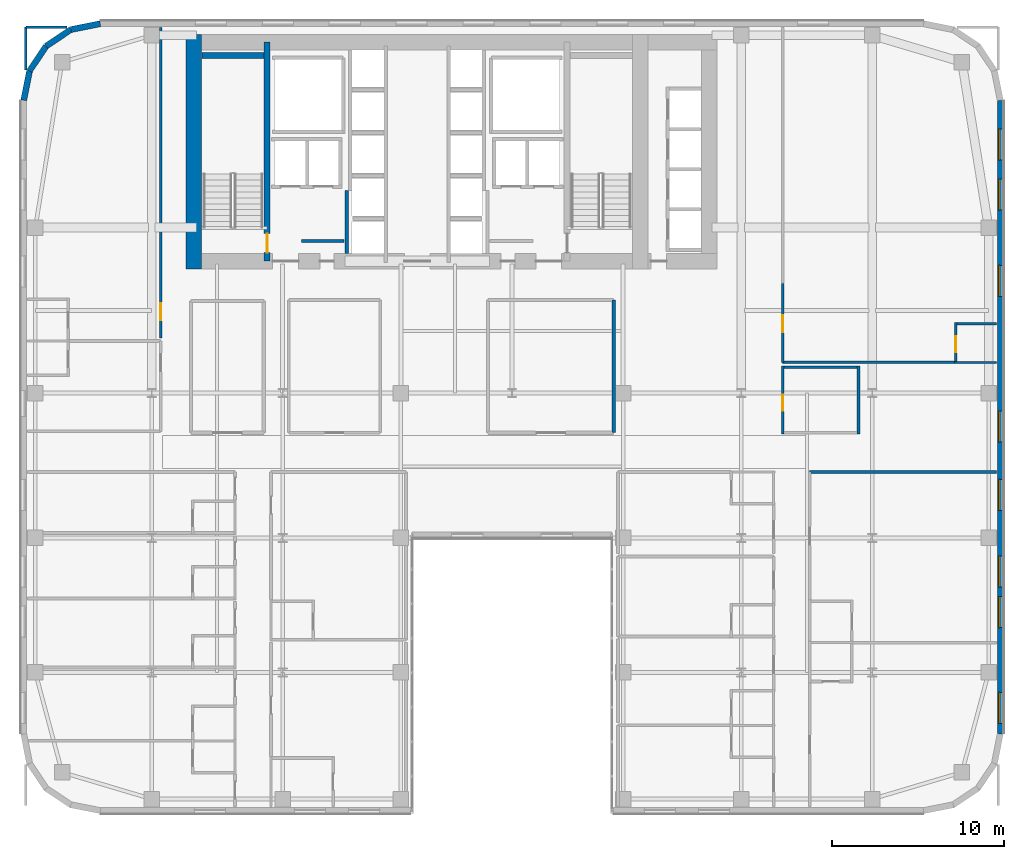
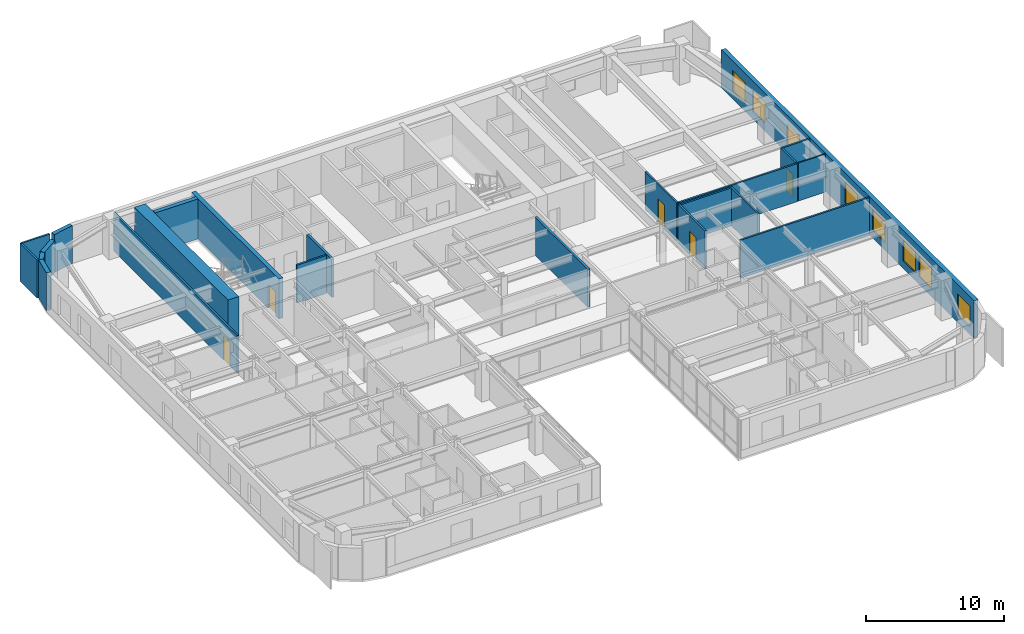
# One storey, part 17 of 24: 23 walls, 8 windows, 5 doors, 13 openings.
"""IFC4 building model written with IfcOpenShell, lengths in metres."""

from ifc_helpers import new_model, si_unit, direction, frame, frame_2d, origin, place, context, subcontext, project, spatial, rectangle, extrude, source, transform, mapped, material, layer, layer_set, type_object, type_shapes, element, fill, save


model = new_model("IFC4")

# Units and contexts
model_context = context("Model", 3, precision=1e-05, world=origin(), true_north=direction((0.0, 1.0)))
body_context = subcontext(model_context, "Body", "Model", "MODEL_VIEW")
ifc_project = project(units=[si_unit("LENGTHUNIT", "METRE"), si_unit("AREAUNIT", "SQUARE_METRE"), si_unit("VOLUMEUNIT", "CUBIC_METRE"), si_unit("PLANEANGLEUNIT", "RADIAN"), si_unit("MASSUNIT", "GRAM", prefix="KILO")], contexts=[model_context])

# Site, building, storey
site_placement = place(None, origin())
site = spatial("IfcSite", under=ifc_project, at=site_placement, CompositionType="ELEMENT")
building_placement = place(site_placement, origin())
building = spatial("IfcBuilding", under=site, at=building_placement, Name="Tolvann Quenvar Hotel", CompositionType="ELEMENT")
storey_placement = place(building_placement, frame((0.0, 0.0, 81.699951171875)))
storey = spatial("IfcBuildingStorey", under=building, at=storey_placement, Name="L20", CompositionType="ELEMENT", Elevation=81.699951171875)

# Wall
ifc_material_1 = material(Name="Concrete S80 (80 MPa)", Category="concrete")
ifc_layer_1 = layer(ifc_material_1, 0.89990234375)
ifc_layer_set_1 = layer_set([ifc_layer_1], Name="Concrete S80 (80 MPa)")
wall_type_1 = type_object("IfcWallType", Name="WALL_CORE_900", PredefinedType="SHEAR", material=ifc_layer_set_1)
wall_1_placement = place(storey_placement, frame((10.050048828125, 31.60009765625, 0.0), z_axis=(0.0, 0.0, 1.0), x_axis=(0.0, 1.0, 0.0)))
element("IfcWall", 1, at=wall_1_placement, inside=storey, type_object=wall_type_1, Name="Rear Core W Shear Wall (L20)", PredefinedType="SHEAR", context=body_context, shape_type="SweptSolid", body=[
    extrude(rectangle(XDim=13.599853515625, YDim=0.89990234375, at=frame_2d((6.7998046875, 0.0))), origin(), (0.0, 0.0, 1.0), 3.550048828125),
])

# Wall, opening, door
ifc_material_2 = material(Name="Concrete S65 (65 MPa)", Category="concrete")
ifc_layer_2 = layer(ifc_material_2, 0.35009765625)
ifc_layer_set_2 = layer_set([ifc_layer_2], Name="Concrete S65 (65 MPa)")
wall_type_2 = type_object("IfcWallType", Name="WALL_CORE_INT_350", PredefinedType="SHEAR", material=ifc_layer_set_2)
wall_2_placement = place(storey_placement, frame((14.300048828125, 32.050048828125, 0.0), z_axis=(0.0, 0.0, 1.0), x_axis=(0.0, 1.0, 0.0)))
wall_2 = element("IfcWall", 2, at=wall_2_placement, inside=storey, type_object=wall_type_2, Name="Core Internal Web Shear Wall WEB-W (L20)", PredefinedType="SHEAR", context=body_context, shape_type="SweptSolid", body=[
    extrude(rectangle(XDim=12.699951171875, YDim=0.35009765625, at=frame_2d((6.35009765625, 0.0))), origin(), (0.0, 0.0, 1.0), 3.550048828125),
])
opening_1_placement = place(wall_2_placement, frame((0.5, 0.0, 0.0)))
opening_1 = element("IfcOpeningElement", 3, at=opening_1_placement, cuts=wall_2, Name="Opening FD-120", PredefinedType="OPENING", context=body_context, shape_type="SweptSolid", body=[
    extrude(rectangle(XDim=1.10009765625, YDim=2.1201171875, at=frame_2d((0.550048828125, 1.06005859375))), frame((0.0, 0.18505859375, 0.0), z_axis=(0.0, -1.0, 0.0), x_axis=(1.0, 0.0, 0.0)), (0.0, 0.0, 1.0), 0.3701171875),
])
ifc_material_3 = material(Name="Pressed galvanised steel fire-rated door set", Category="steel")
door_type_1 = type_object("IfcDoorType", Name="DOOR_FIRE_STAIR_1100", OperationType="NOTDEFINED", PredefinedType="DOOR", material=ifc_material_3)
shared_shape_1 = source(origin(), body_context, "Body", "SweptSolid", [
    extrude(rectangle(XDim=1.10009765625, YDim=2.1201171875, at=frame_2d((0.550048828125, 1.06005859375))), frame((0.0, 0.02490234375, 0.0), z_axis=(0.0, -1.0, 0.0), x_axis=(1.0, 0.0, 0.0)), (0.0, 0.0, 1.0), 0.050048828125),
])
type_shapes(door_type_1, [shared_shape_1])
door_1_placement = place(opening_1_placement, origin())
door_1 = element("IfcDoor", 4, at=door_1_placement, inside=storey, type_object=door_type_1, Name="Exit Stair ST-C1 Fire Door (L20)", OperationType="SINGLE_SWING_RIGHT", OverallHeight=2.1201171875, OverallWidth=1.10009765625, PredefinedType="DOOR", context=body_context, shape_type="MappedRepresentation", body=[
    mapped(shared_shape_1, transform((0.0, 0.0, 0.0), x_axis=(1.0, 0.0, 0.0), y_axis=(0.0, 1.0, 0.0), z_axis=(0.0, 0.0, 1.0), scale=1.0)),
])
fill(opening_1, door_1)

# Wall
wall_3_placement = place(storey_placement, frame((10.52001953125, 43.97509765625, 0.0), z_axis=(0.0, 0.0, 1.0), x_axis=(1.0, 0.0, 0.0)))
element("IfcWall", 5, at=wall_3_placement, inside=storey, type_object=wall_type_2, Name="Core Stair North Closing Shear Wall STC1-N (L20)", PredefinedType="SHEAR", context=body_context, shape_type="SweptSolid", body=[
    extrude(rectangle(XDim=3.60009765625, YDim=0.35009765625, at=frame_2d((1.800048828125, 0.0))), origin(), (0.0, 0.0, 1.0), 3.550048828125),
])

# Wall, openings, windows
ifc_material_4 = material(Name="Kiln-fired red and buff architectural clay brickwork and terracotta masonry", Category="masonry")
ifc_layer_3 = layer(ifc_material_4, 0.35009765625)
ifc_layer_set_3 = layer_set([ifc_layer_3], Name="Kiln-fired red and buff architectural clay brickwork and terracotta masonry")
wall_type_3 = type_object("IfcWallType", Name="WALL_EXT_BRICK_350", PredefinedType="SOLIDWALL", material=ifc_layer_set_3)
wall_4_placement = place(storey_placement, frame((56.824951171875, 4.6171875, 0.0), z_axis=(0.0, 0.0, 1.0), x_axis=(0.0, 1.0, 0.0)))
wall_4 = element("IfcWall", 6, at=wall_4_placement, inside=storey, type_object=wall_type_3, Name="Exterior Chicago Brick Wall L20-E13", PredefinedType="SOLIDWALL", context=body_context, shape_type="SweptSolid", body=[
    extrude(rectangle(XDim=36.765625, YDim=0.35009765625, at=frame_2d((18.3828125, 0.0))), origin(), (0.0, 0.0, 1.0), 3.3701171875),
])
opening_2_placement = place(wall_4_placement, frame((0.6259765625, 0.0, 0.679931640625)))
opening_2 = element("IfcOpeningElement", 7, at=opening_2_placement, cuts=wall_4, Name="Opening W-03", PredefinedType="OPENING", context=body_context, shape_type="SweptSolid", body=[
    extrude(rectangle(XDim=1.800048828125, YDim=1.85009765625, at=frame_2d((0.89990234375, 0.925048828125))), frame((0.0, 0.18505859375, 0.0), z_axis=(0.0, -1.0, 0.0), x_axis=(1.0, 0.0, 0.0)), (0.0, 0.0, 1.0), 0.3701171875),
])
opening_3_placement = place(wall_4_placement, frame((6.177978515625, 0.0, 0.679931640625)))
opening_3 = element("IfcOpeningElement", 8, at=opening_3_placement, cuts=wall_4, Name="Opening W-03", PredefinedType="OPENING", context=body_context, shape_type="SweptSolid", body=[
    extrude(rectangle(XDim=1.800048828125, YDim=1.85009765625, at=frame_2d((0.89990234375, 0.925048828125))), frame((0.0, 0.18505859375, 0.0), z_axis=(0.0, -1.0, 0.0), x_axis=(1.0, 0.0, 0.0)), (0.0, 0.0, 1.0), 0.3701171875),
])
opening_4_placement = place(wall_4_placement, frame((8.529052734375, 0.0, 0.679931640625)))
opening_4 = element("IfcOpeningElement", 9, at=opening_4_placement, cuts=wall_4, Name="Opening W-03", PredefinedType="OPENING", context=body_context, shape_type="SweptSolid", body=[
    extrude(rectangle(XDim=1.800048828125, YDim=1.85009765625, at=frame_2d((0.89990234375, 0.925048828125))), frame((0.0, 0.18505859375, 0.0), z_axis=(0.0, -1.0, 0.0), x_axis=(1.0, 0.0, 0.0)), (0.0, 0.0, 1.0), 0.3701171875),
])
opening_5_placement = place(wall_4_placement, frame((12.98095703125, 0.0, 0.679931640625)))
opening_5 = element("IfcOpeningElement", 10, at=opening_5_placement, cuts=wall_4, Name="Opening W-03", PredefinedType="OPENING", context=body_context, shape_type="SweptSolid", body=[
    extrude(rectangle(XDim=1.800048828125, YDim=1.85009765625, at=frame_2d((0.89990234375, 0.925048828125))), frame((0.0, 0.18505859375, 0.0), z_axis=(0.0, -1.0, 0.0), x_axis=(1.0, 0.0, 0.0)), (0.0, 0.0, 1.0), 0.3701171875),
])
opening_6_placement = place(wall_4_placement, frame((16.93310546875, 0.0, 0.679931640625)))
opening_6 = element("IfcOpeningElement", 11, at=opening_6_placement, cuts=wall_4, Name="Opening W-03", PredefinedType="OPENING", context=body_context, shape_type="SweptSolid", body=[
    extrude(rectangle(XDim=1.800048828125, YDim=1.85009765625, at=frame_2d((0.89990234375, 0.925048828125))), frame((0.0, 0.18505859375, 0.0), z_axis=(0.0, -1.0, 0.0), x_axis=(1.0, 0.0, 0.0)), (0.0, 0.0, 1.0), 0.3701171875),
])
opening_7_placement = place(wall_4_placement, frame((25.385986328125, 0.0, 0.679931640625)))
opening_7 = element("IfcOpeningElement", 12, at=opening_7_placement, cuts=wall_4, Name="Opening W-03", PredefinedType="OPENING", context=body_context, shape_type="SweptSolid", body=[
    extrude(rectangle(XDim=1.800048828125, YDim=1.85009765625, at=frame_2d((0.89990234375, 0.925048828125))), frame((0.0, 0.18505859375, 0.0), z_axis=(0.0, -1.0, 0.0), x_axis=(1.0, 0.0, 0.0)), (0.0, 0.0, 1.0), 0.3701171875),
])
opening_8_placement = place(wall_4_placement, frame((30.387939453125, 0.0, 0.679931640625)))
opening_8 = element("IfcOpeningElement", 13, at=opening_8_placement, cuts=wall_4, Name="Opening W-03", PredefinedType="OPENING", context=body_context, shape_type="SweptSolid", body=[
    extrude(rectangle(XDim=1.800048828125, YDim=1.85009765625, at=frame_2d((0.89990234375, 0.925048828125))), frame((0.0, 0.18505859375, 0.0), z_axis=(0.0, -1.0, 0.0), x_axis=(1.0, 0.0, 0.0)), (0.0, 0.0, 1.0), 0.3701171875),
])
opening_9_placement = place(wall_4_placement, frame((33.2900390625, 0.0, 0.679931640625)))
opening_9 = element("IfcOpeningElement", 14, at=opening_9_placement, cuts=wall_4, Name="Opening W-03", PredefinedType="OPENING", context=body_context, shape_type="SweptSolid", body=[
    extrude(rectangle(XDim=1.800048828125, YDim=1.85009765625, at=frame_2d((0.89990234375, 0.925048828125))), frame((0.0, 0.18505859375, 0.0), z_axis=(0.0, -1.0, 0.0), x_axis=(1.0, 0.0, 0.0)), (0.0, 0.0, 1.0), 0.3701171875),
])
ifc_material_5 = material(Name="Thermally broken bronze-anodised aluminium frame with double low-E glazing", Category="aluminium")
window_type = type_object("IfcWindowType", Name="WIN_CHI_1800x2050", PartitioningType="TRIPLE_PANEL_HORIZONTAL", PredefinedType="WINDOW", material=ifc_material_5)
shared_shape_2 = source(origin(), body_context, "Body", "SweptSolid", [
    extrude(rectangle(XDim=1.800048828125, YDim=1.85009765625, at=frame_2d((0.89990234375, 0.925048828125))), frame((0.0, 0.090087890625, 0.0), z_axis=(0.0, -1.0, 0.0), x_axis=(1.0, 0.0, 0.0)), (0.0, 0.0, 1.0), 0.06005859375),
])
type_shapes(window_type, [shared_shape_2])
window_1_placement = place(opening_2_placement, origin())
window_1 = element("IfcWindow", 15, at=window_1_placement, inside=storey, type_object=window_type, Name="Chicago Window W-03 (EW-L20-E13-W01)", OverallHeight=1.85009765625, OverallWidth=1.800048828125, PartitioningType="TRIPLE_PANEL_HORIZONTAL", PredefinedType="WINDOW", context=body_context, shape_type="MappedRepresentation", body=[
    mapped(shared_shape_2, transform((0.0, 0.0, 0.0), x_axis=(1.0, 0.0, 0.0), y_axis=(0.0, 1.0, 0.0), z_axis=(0.0, 0.0, 1.0), scale=1.0)),
])
fill(opening_2, window_1)
window_2_placement = place(opening_3_placement, origin())
window_2 = element("IfcWindow", 16, at=window_2_placement, inside=storey, type_object=window_type, Name="Chicago Window W-03 (EW-L20-E13-W02)", OverallHeight=1.85009765625, OverallWidth=1.800048828125, PartitioningType="TRIPLE_PANEL_HORIZONTAL", PredefinedType="WINDOW", context=body_context, shape_type="MappedRepresentation", body=[
    mapped(shared_shape_2, transform((0.0, 0.0, 0.0), x_axis=(1.0, 0.0, 0.0), y_axis=(0.0, 1.0, 0.0), z_axis=(0.0, 0.0, 1.0), scale=1.0)),
])
fill(opening_3, window_2)
window_3_placement = place(opening_4_placement, origin())
window_3 = element("IfcWindow", 17, at=window_3_placement, inside=storey, type_object=window_type, Name="Chicago Window W-03 (EW-L20-E13-W03)", OverallHeight=1.85009765625, OverallWidth=1.800048828125, PartitioningType="TRIPLE_PANEL_HORIZONTAL", PredefinedType="WINDOW", context=body_context, shape_type="MappedRepresentation", body=[
    mapped(shared_shape_2, transform((0.0, 0.0, 0.0), x_axis=(1.0, 0.0, 0.0), y_axis=(0.0, 1.0, 0.0), z_axis=(0.0, 0.0, 1.0), scale=1.0)),
])
fill(opening_4, window_3)
window_4_placement = place(opening_5_placement, origin())
window_4 = element("IfcWindow", 18, at=window_4_placement, inside=storey, type_object=window_type, Name="Chicago Window W-03 (EW-L20-E13-W04)", OverallHeight=1.85009765625, OverallWidth=1.800048828125, PartitioningType="TRIPLE_PANEL_HORIZONTAL", PredefinedType="WINDOW", context=body_context, shape_type="MappedRepresentation", body=[
    mapped(shared_shape_2, transform((0.0, 0.0, 0.0), x_axis=(1.0, 0.0, 0.0), y_axis=(0.0, 1.0, 0.0), z_axis=(0.0, 0.0, 1.0), scale=1.0)),
])
fill(opening_5, window_4)
window_5_placement = place(opening_6_placement, origin())
window_5 = element("IfcWindow", 19, at=window_5_placement, inside=storey, type_object=window_type, Name="Chicago Window W-03 (EW-L20-E13-W05)", OverallHeight=1.85009765625, OverallWidth=1.800048828125, PartitioningType="TRIPLE_PANEL_HORIZONTAL", PredefinedType="WINDOW", context=body_context, shape_type="MappedRepresentation", body=[
    mapped(shared_shape_2, transform((0.0, 0.0, 0.0), x_axis=(1.0, 0.0, 0.0), y_axis=(0.0, 1.0, 0.0), z_axis=(0.0, 0.0, 1.0), scale=1.0)),
])
fill(opening_6, window_5)
window_6_placement = place(opening_7_placement, origin())
window_6 = element("IfcWindow", 20, at=window_6_placement, inside=storey, type_object=window_type, Name="Chicago Window W-03 (EW-L20-E13-W06)", OverallHeight=1.85009765625, OverallWidth=1.800048828125, PartitioningType="TRIPLE_PANEL_HORIZONTAL", PredefinedType="WINDOW", context=body_context, shape_type="MappedRepresentation", body=[
    mapped(shared_shape_2, transform((0.0, 0.0, 0.0), x_axis=(1.0, 0.0, 0.0), y_axis=(0.0, 1.0, 0.0), z_axis=(0.0, 0.0, 1.0), scale=1.0)),
])
fill(opening_7, window_6)
window_7_placement = place(opening_8_placement, origin())
window_7 = element("IfcWindow", 21, at=window_7_placement, inside=storey, type_object=window_type, Name="Chicago Window W-03 (EW-L20-E13-W07)", OverallHeight=1.85009765625, OverallWidth=1.800048828125, PartitioningType="TRIPLE_PANEL_HORIZONTAL", PredefinedType="WINDOW", context=body_context, shape_type="MappedRepresentation", body=[
    mapped(shared_shape_2, transform((0.0, 0.0, 0.0), x_axis=(1.0, 0.0, 0.0), y_axis=(0.0, 1.0, 0.0), z_axis=(0.0, 0.0, 1.0), scale=1.0)),
])
fill(opening_8, window_7)
window_8_placement = place(opening_9_placement, origin())
window_8 = element("IfcWindow", 22, at=window_8_placement, inside=storey, type_object=window_type, Name="Chicago Window W-03 (EW-L20-E13-W08)", OverallHeight=1.85009765625, OverallWidth=1.800048828125, PartitioningType="TRIPLE_PANEL_HORIZONTAL", PredefinedType="WINDOW", context=body_context, shape_type="MappedRepresentation", body=[
    mapped(shared_shape_2, transform((0.0, 0.0, 0.0), x_axis=(1.0, 0.0, 0.0), y_axis=(0.0, 1.0, 0.0), z_axis=(0.0, 0.0, 1.0), scale=1.0)),
])
fill(opening_9, window_8)

# Walls
wall_5_placement = place(storey_placement, frame((4.6171875, 45.824951171875, 0.0), z_axis=(0.0, 0.0, 1.0), x_axis=(-0.980800971659, -0.195011420161, 0.0)))
element("IfcWall", 23, at=wall_5_placement, inside=storey, type_object=wall_type_3, Name="Exterior Chicago Brick Wall L20-E19", PredefinedType="SOLIDWALL", context=body_context, shape_type="SweptSolid", body=[
    extrude(rectangle(XDim=1.74267578125, YDim=0.35009765625, at=frame_2d((0.871337890625, 0.0))), origin(), (0.0, 0.0, 1.0), 3.3701171875),
])
for number, where, z_axis, x_axis, name in (
    (24, (2.907958984375, 45.485107421875, 0.0), (0.0, 0.0, 1.0), (-0.831483840845, -0.55554893791, 0.0), "Exterior Chicago Brick Wall L20-E20"),
    (25, (1.473388671875, 44.526611328125, 0.0), (0.0, 0.0, 1.0), (-0.55554893791, -0.831483840845, 0.0), "Exterior Chicago Brick Wall L20-E21"),
):
    element("IfcWall", number, at=place(storey_placement, frame(where, z_axis=z_axis, x_axis=x_axis)), inside=storey, type_object=wall_type_3, Name=name, PredefinedType="SOLIDWALL", context=body_context, shape_type="SweptSolid", body=[
        extrude(rectangle(XDim=1.725341796875, YDim=0.35009765625, at=frame_2d((0.86279296875, 0.0))), origin(), (0.0, 0.0, 1.0), 2.83203125),
    ])
wall_6_placement = place(storey_placement, frame((0.514892578125, 43.092041015625, 0.0), z_axis=(0.0, 0.0, 1.0), x_axis=(-0.195011420161, -0.980800971659, 0.0)))
element("IfcWall", 26, at=wall_6_placement, inside=storey, type_object=wall_type_3, Name="Exterior Chicago Brick Wall L20-E22", PredefinedType="SOLIDWALL", context=body_context, shape_type="SweptSolid", body=[
    extrude(rectangle(XDim=1.74267578125, YDim=0.35009765625, at=frame_2d((0.871337890625, 0.0))), origin(), (0.0, 0.0, 1.0), 3.3701171875),
])
ifc_material_6 = material(Name="Acoustic twin-stud fire-rated gypsum plasterboard partition")
ifc_layer_4 = layer(ifc_material_6, 0.179931640625)
ifc_layer_set_4 = layer_set([ifc_layer_4], Name="Acoustic twin-stud fire-rated gypsum plasterboard partition")
wall_type_4 = type_object("IfcWallType", Name="WALL_PART_ACOUSTIC_180", PredefinedType="PARTITIONING", material=ifc_layer_set_4)
wall_7_placement = place(storey_placement, frame((34.39990234375, 22.10009765625, 0.0), z_axis=(0.0, 0.0, 1.0), x_axis=(0.0, 1.0, 0.0)))
element("IfcWall", 27, at=wall_7_placement, inside=storey, type_object=wall_type_4, Name="Interior Partition PT-SPC-L20-MSP-C-E", PredefinedType="PARTITIONING", context=body_context, shape_type="SweptSolid", body=[
    extrude(rectangle(XDim=7.699951171875, YDim=0.179931640625, at=frame_2d((3.85009765625, 0.0))), origin(), (0.0, 0.0, 1.0), 3.3701171875),
])
ifc_material_7 = material(Name="Moisture-resistant acoustic plumbing wall assembly")
ifc_layer_5 = layer(ifc_material_7, 0.1201171875)
ifc_layer_set_5 = layer_set([ifc_layer_5], Name="Moisture-resistant acoustic plumbing wall assembly")
wall_type_5 = type_object("IfcWallType", Name="WALL_PART_BATH_120", PredefinedType="PLUMBINGWALL", material=ifc_layer_set_5)
wall_8_placement = place(storey_placement, frame((54.179931640625, 26.179931640625, 0.0), z_axis=(0.0, 0.0, 1.0), x_axis=(1.0, 0.0, 0.0)))
element("IfcWall", 28, at=wall_8_placement, inside=storey, type_object=wall_type_5, Name="Non-Rated Plumbing Partition PT-SPC-L20-ENS-NE01-S", PredefinedType="PLUMBINGWALL", context=body_context, shape_type="SweptSolid", body=[
    extrude(rectangle(XDim=2.4150390625, YDim=0.1201171875, at=frame_2d((1.20751953125, 0.0))), origin(), (0.0, 0.0, 1.0), 3.3701171875),
])

# Wall, opening, door
ifc_layer_6 = layer(ifc_material_6, 0.14990234375)
ifc_layer_set_6 = layer_set([ifc_layer_6], Name="Acoustic twin-stud fire-rated gypsum plasterboard partition")
wall_type_6 = type_object("IfcWallType", Name="WALL_PART_SUITE_150", PredefinedType="PARTITIONING", material=ifc_layer_set_6)
wall_9_placement = place(storey_placement, frame((54.25, 26.110107421875, 0.0), z_axis=(0.0, 0.0, 1.0), x_axis=(0.0, 1.0, 0.0)))
wall_9 = element("IfcWall", 29, at=wall_9_placement, inside=storey, type_object=wall_type_6, Name="Interior Partition PT-SPC-L20-ENS-NE01-ENT", PredefinedType="PARTITIONING", context=body_context, shape_type="SweptSolid", body=[
    extrude(rectangle(XDim=2.389892578125, YDim=0.14990234375, at=frame_2d((1.19482421875, 0.0))), origin(), (0.0, 0.0, 1.0), 3.3701171875),
])
opening_10_placement = place(wall_9_placement, frame((0.6650390625, 0.0, 0.0)))
opening_10 = element("IfcOpeningElement", 30, at=opening_10_placement, cuts=wall_9, Name="Opening WD-01", PredefinedType="OPENING", context=body_context, shape_type="SweptSolid", body=[
    extrude(rectangle(XDim=0.919921875, YDim=2.010009765625, at=frame_2d((0.4599609375, 1.0048828125))), frame((0.0, 0.0849609375, 0.0), z_axis=(0.0, -1.0, 0.0), x_axis=(1.0, 0.0, 0.0)), (0.0, 0.0, 1.0), 0.169921875),
])
ifc_material_8 = material(Name="Solid-core American oak acoustic fire door leaf in steel frame", Category="steel")
door_type_2 = type_object("IfcDoorType", Name="DOOR_WC_920", OperationType="NOTDEFINED", PredefinedType="DOOR", material=ifc_material_8)
shared_shape_3 = source(origin(), body_context, "Body", "SweptSolid", [
    extrude(rectangle(XDim=0.919921875, YDim=2.010009765625, at=frame_2d((0.4599609375, 1.0048828125))), frame((0.0, 0.02490234375, 0.0), z_axis=(0.0, -1.0, 0.0), x_axis=(1.0, 0.0, 0.0)), (0.0, 0.0, 1.0), 0.050048828125),
])
type_shapes(door_type_2, [shared_shape_3])
door_2_placement = place(opening_10_placement, origin())
door_2 = element("IfcDoor", 31, at=door_2_placement, inside=storey, type_object=door_type_2, Name="Interior Door DOOR-SPC-L20-ENS-NE01", OperationType="SINGLE_SWING_LEFT", OverallHeight=2.010009765625, OverallWidth=0.919921875, PredefinedType="DOOR", context=body_context, shape_type="MappedRepresentation", body=[
    mapped(shared_shape_3, transform((0.0, 0.0, 0.0), x_axis=(1.0, 0.0, 0.0), y_axis=(0.0, 1.0, 0.0), z_axis=(0.0, 0.0, 1.0), scale=1.0)),
])
fill(opening_10, door_2)

# Walls
wall_10_placement = place(storey_placement, frame((54.179931640625, 28.429931640625, 0.0), z_axis=(0.0, 0.0, 1.0), x_axis=(1.0, 0.0, 0.0)))
element("IfcWall", 32, at=wall_10_placement, inside=storey, type_object=wall_type_6, Name="Interior Partition PT-SPC-L20-ENS-NE01-N", PredefinedType="PARTITIONING", context=body_context, shape_type="SweptSolid", body=[
    extrude(rectangle(XDim=2.4150390625, YDim=0.14990234375, at=frame_2d((1.20751953125, 0.0))), origin(), (0.0, 0.0, 1.0), 3.3701171875),
])
wall_11_placement = place(storey_placement, frame((16.280029296875, 33.219970703125, 0.0), z_axis=(0.0, 0.0, 1.0), x_axis=(1.0, 0.0, 0.0)))
element("IfcWall", 33, at=wall_11_placement, inside=storey, type_object=wall_type_6, Name="Interior Partition PT-SPC-L20-CSW-1-N", PredefinedType="PARTITIONING", context=body_context, shape_type="SweptSolid", body=[
    extrude(rectangle(XDim=2.48486328125, YDim=0.14990234375, at=frame_2d((1.242431640625, 0.0))), origin(), (0.0, 0.0, 1.0), 3.3701171875),
])
wall_12_placement = place(storey_placement, frame((45.77001953125, 19.820068359375, 0.0), z_axis=(0.0, 0.0, 1.0), x_axis=(1.0, 0.0, 0.0)))
element("IfcWall", 34, at=wall_12_placement, inside=storey, type_object=wall_type_6, Name="Interior Partition PT-SPC-L20-RM-EO02-E5", PredefinedType="PARTITIONING", context=body_context, shape_type="SweptSolid", body=[
    extrude(rectangle(XDim=10.824951171875, YDim=0.14990234375, at=frame_2d((5.41259765625, 0.0))), origin(), (0.0, 0.0, 1.0), 3.3701171875),
])

# Wall, opening, door
wall_13_placement = place(storey_placement, frame((8.1201171875, 27.580078125, 0.0), z_axis=(0.0, 0.0, 1.0), x_axis=(0.0, 1.0, 0.0)))
wall_13 = element("IfcWall", 35, at=wall_13_placement, inside=storey, type_object=wall_type_6, Name="Interior Partition PT-SPC-L20-RM-NW02-ENT", PredefinedType="PARTITIONING", context=body_context, shape_type="SweptSolid", body=[
    extrude(rectangle(XDim=18.014892578125, YDim=0.14990234375, at=frame_2d((9.00732421875, 0.0))), origin(), (0.0, 0.0, 1.0), 3.3701171875),
])
opening_11_placement = place(wall_13_placement, frame((1.044921875, 0.0, 0.0)))
opening_11 = element("IfcOpeningElement", 36, at=opening_11_placement, cuts=wall_13, Name="Opening SD-01", PredefinedType="OPENING", context=body_context, shape_type="SweptSolid", body=[
    extrude(rectangle(XDim=0.97998046875, YDim=2.1201171875, at=frame_2d((0.489990234375, 1.06005859375))), frame((0.0, 0.0849609375, 0.0), z_axis=(0.0, -1.0, 0.0), x_axis=(1.0, 0.0, 0.0)), (0.0, 0.0, 1.0), 0.169921875),
])
door_type_3 = type_object("IfcDoorType", Name="DOOR_SUITE_980", OperationType="NOTDEFINED", PredefinedType="DOOR", material=ifc_material_8)
shared_shape_4 = source(origin(), body_context, "Body", "SweptSolid", [
    extrude(rectangle(XDim=0.97998046875, YDim=2.1201171875, at=frame_2d((0.489990234375, 1.06005859375))), frame((0.0, 0.02490234375, 0.0), z_axis=(0.0, -1.0, 0.0), x_axis=(1.0, 0.0, 0.0)), (0.0, 0.0, 1.0), 0.050048828125),
])
type_shapes(door_type_3, [shared_shape_4])
door_3_placement = place(opening_11_placement, origin())
door_3 = element("IfcDoor", 37, at=door_3_placement, inside=storey, type_object=door_type_3, Name="Interior Door DOOR-SPC-L20-RM-NW02", OperationType="SINGLE_SWING_RIGHT", OverallHeight=2.1201171875, OverallWidth=0.97998046875, PredefinedType="DOOR", context=body_context, shape_type="MappedRepresentation", body=[
    mapped(shared_shape_4, transform((0.0, 0.0, 0.0), x_axis=(1.0, 0.0, 0.0), y_axis=(0.0, 1.0, 0.0), z_axis=(0.0, 0.0, 1.0), scale=1.0)),
])
fill(opening_11, door_3)

# Walls
wall_14_placement = place(storey_placement, frame((0.300048828125, 45.6201171875, 0.0), z_axis=(0.0, 0.0, 1.0), x_axis=(1.0, 0.0, 0.0)))
element("IfcWall", 38, at=wall_14_placement, inside=storey, type_object=wall_type_6, Name="Interior Partition PT-SPC-L20-RM-NW02-E5", PredefinedType="PARTITIONING", context=body_context, shape_type="SweptSolid", body=[
    extrude(rectangle(XDim=2.39599609375, YDim=0.14990234375, at=frame_2d((1.197998046875, 0.0))), origin(), (0.0, 0.0, 1.0), 3.3701171875),
])
wall_15_placement = place(storey_placement, frame((0.300048828125, 43.135009765625, 0.0), z_axis=(0.0, 0.0, 1.0), x_axis=(0.0, 1.0, 0.0)))
element("IfcWall", 39, at=wall_15_placement, inside=storey, type_object=wall_type_6, Name="Interior Partition PT-SPC-L20-RM-NW02-E6", PredefinedType="PARTITIONING", context=body_context, shape_type="SweptSolid", body=[
    extrude(rectangle(XDim=2.485107421875, YDim=0.14990234375, at=frame_2d((1.24267578125, 0.0))), origin(), (0.0, 0.0, 1.0), 3.3701171875),
])

# Wall, opening, door
wall_16_placement = place(storey_placement, frame((44.199951171875, 22.030029296875, 0.0), z_axis=(0.0, 0.0, 1.0), x_axis=(0.0, 1.0, 0.0)))
wall_16 = element("IfcWall", 40, at=wall_16_placement, inside=storey, type_object=wall_type_6, Name="Interior Partition PT-SPC-L20-WCA-ENT", PredefinedType="PARTITIONING", context=body_context, shape_type="SweptSolid", body=[
    extrude(rectangle(XDim=3.93994140625, YDim=0.14990234375, at=frame_2d((1.969970703125, 0.0))), origin(), (0.0, 0.0, 1.0), 3.3701171875),
])
opening_12_placement = place(wall_16_placement, frame((1.340087890625, 0.0, 0.0)))
opening_12 = element("IfcOpeningElement", 41, at=opening_12_placement, cuts=wall_16, Name="Opening WD-01", PredefinedType="OPENING", context=body_context, shape_type="SweptSolid", body=[
    extrude(rectangle(XDim=0.919921875, YDim=2.010009765625, at=frame_2d((0.4599609375, 1.0048828125))), frame((0.0, 0.0849609375, 0.0), z_axis=(0.0, -1.0, 0.0), x_axis=(1.0, 0.0, 0.0)), (0.0, 0.0, 1.0), 0.169921875),
])
door_4_placement = place(opening_12_placement, origin())
door_4 = element("IfcDoor", 42, at=door_4_placement, inside=storey, type_object=door_type_2, Name="Interior Door DOOR-SPC-L20-WCA", OperationType="SINGLE_SWING_LEFT", OverallHeight=2.010009765625, OverallWidth=0.919921875, PredefinedType="DOOR", context=body_context, shape_type="MappedRepresentation", body=[
    mapped(shared_shape_3, transform((0.0, 0.0, 0.0), x_axis=(1.0, 0.0, 0.0), y_axis=(0.0, 1.0, 0.0), z_axis=(0.0, 0.0, 1.0), scale=1.0)),
])
fill(opening_12, door_4)

# Walls
wall_17_placement = place(storey_placement, frame((44.1298828125, 25.89990234375, 0.0), z_axis=(0.0, 0.0, 1.0), x_axis=(1.0, 0.0, 0.0)))
element("IfcWall", 43, at=wall_17_placement, inside=storey, type_object=wall_type_6, Name="Interior Partition PT-SPC-L20-WCA-N", PredefinedType="PARTITIONING", context=body_context, shape_type="SweptSolid", body=[
    extrude(rectangle(XDim=4.5400390625, YDim=0.14990234375, at=frame_2d((2.27001953125, 0.0))), origin(), (0.0, 0.0, 1.0), 3.3701171875),
])
wall_18_placement = place(storey_placement, frame((48.60009765625, 22.030029296875, 0.0), z_axis=(0.0, 0.0, 1.0), x_axis=(0.0, 1.0, 0.0)))
element("IfcWall", 44, at=wall_18_placement, inside=storey, type_object=wall_type_6, Name="Interior Partition PT-SPC-L20-WCA-E", PredefinedType="PARTITIONING", context=body_context, shape_type="SweptSolid", body=[
    extrude(rectangle(XDim=3.93994140625, YDim=0.14990234375, at=frame_2d((1.969970703125, 0.0))), origin(), (0.0, 0.0, 1.0), 3.3701171875),
])

# Wall, opening, door
wall_19_placement = place(storey_placement, frame((44.199951171875, 26.179931640625, 0.0), z_axis=(0.0, 0.0, 1.0), x_axis=(0.0, 1.0, 0.0)))
wall_19 = element("IfcWall", 45, at=wall_19_placement, inside=storey, type_object=wall_type_6, Name="Interior Partition PT-SPC-L20-RM-NE01-ENT", PredefinedType="PARTITIONING", context=body_context, shape_type="SweptSolid", body=[
    extrude(rectangle(XDim=4.580078125, YDim=0.14990234375, at=frame_2d((2.2900390625, 0.0))), origin(), (0.0, 0.0, 1.0), 3.3701171875),
])
opening_13_placement = place(wall_19_placement, frame((1.7451171875, 0.0, 0.0)))
opening_13 = element("IfcOpeningElement", 46, at=opening_13_placement, cuts=wall_19, Name="Opening SD-01", PredefinedType="OPENING", context=body_context, shape_type="SweptSolid", body=[
    extrude(rectangle(XDim=0.97998046875, YDim=2.1201171875, at=frame_2d((0.489990234375, 1.06005859375))), frame((0.0, 0.0849609375, 0.0), z_axis=(0.0, -1.0, 0.0), x_axis=(1.0, 0.0, 0.0)), (0.0, 0.0, 1.0), 0.169921875),
])
door_5_placement = place(opening_13_placement, origin())
door_5 = element("IfcDoor", 47, at=door_5_placement, inside=storey, type_object=door_type_3, Name="Interior Door DOOR-SPC-L20-RM-NE01", OperationType="SINGLE_SWING_RIGHT", OverallHeight=2.1201171875, OverallWidth=0.97998046875, PredefinedType="DOOR", context=body_context, shape_type="MappedRepresentation", body=[
    mapped(shared_shape_4, transform((0.0, 0.0, 0.0), x_axis=(1.0, 0.0, 0.0), y_axis=(0.0, 1.0, 0.0), z_axis=(0.0, 0.0, 1.0), scale=1.0)),
])
fill(opening_13, door_5)

# Walls
wall_20_placement = place(storey_placement, frame((44.199951171875, 26.179931640625, 0.0), z_axis=(0.0, 0.0, 1.0), x_axis=(1.0, 0.0, 0.0)))
element("IfcWall", 48, at=wall_20_placement, inside=storey, type_object=wall_type_6, Name="Interior Partition PT-SPC-L20-RM-NE01-E1", PredefinedType="PARTITIONING", context=body_context, shape_type="SweptSolid", body=[
    extrude(rectangle(XDim=10.030029296875, YDim=0.14990234375, at=frame_2d((5.01513671875, 0.0))), origin(), (0.0, 0.0, 1.0), 3.3701171875),
])
ifc_material_9 = material(Name="Concrete N40 (40 MPa)", Category="concrete")
ifc_layer_7 = layer(ifc_material_9, 0.199951171875)
ifc_layer_set_7 = layer_set([ifc_layer_7], Name="Concrete N40 (40 MPa)")
wall_type_7 = type_object("IfcWallType", Name="WALL_SHAFT_200", PredefinedType="SOLIDWALL", material=ifc_layer_set_7)
wall_21_placement = place(storey_placement, frame((18.919921875, 32.50390625, 0.0), z_axis=(0.0, 0.0, 1.0), x_axis=(0.0, 1.0, 0.0)))
element("IfcWall", 49, at=wall_21_placement, inside=storey, type_object=wall_type_7, Name="Firefighting Lobby W Inner Fire Wall (L20)", PredefinedType="SOLIDWALL", context=body_context, shape_type="SweptSolid", body=[
    extrude(rectangle(XDim=3.64599609375, YDim=0.199951171875, at=frame_2d((1.822998046875, 0.0))), origin(), (0.0, 0.0, 1.0), 3.3701171875),
])

save(model, "model.ifc")
